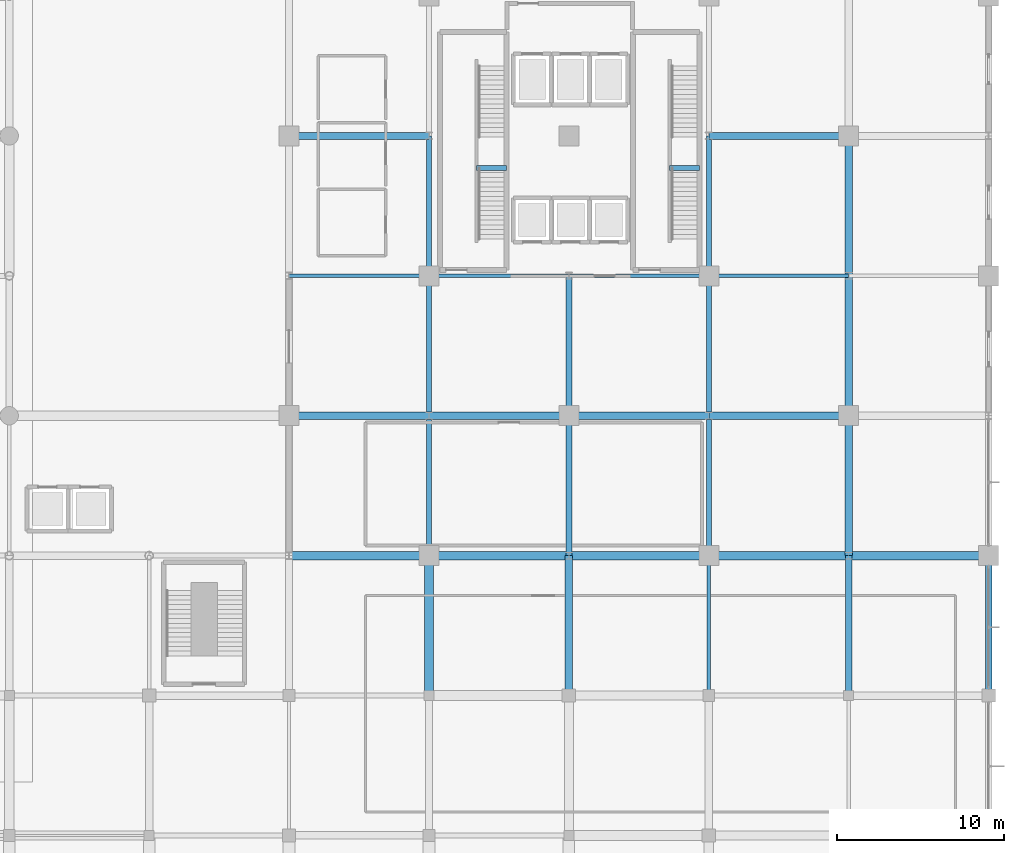
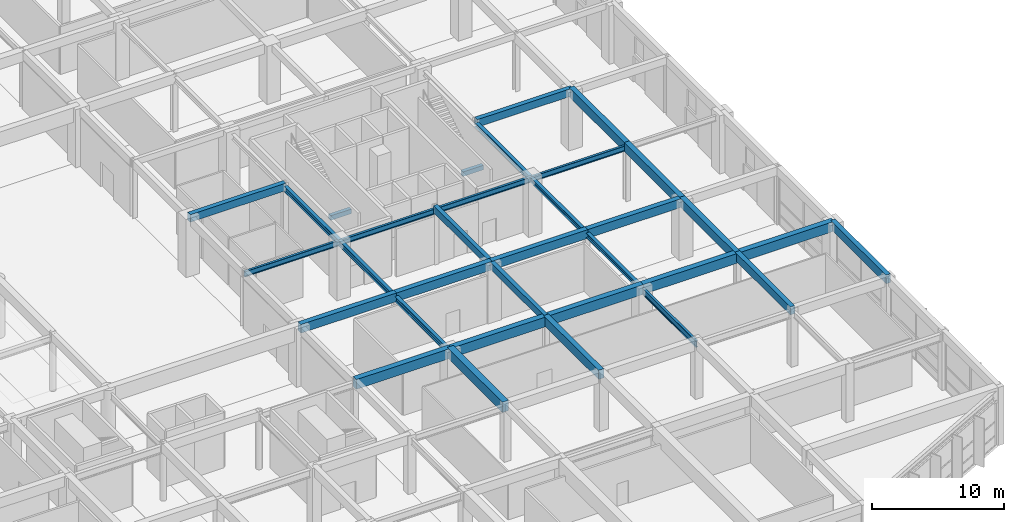
# One storey, part 30 of 62: 33 beams.
"""IFC4 building model written with IfcOpenShell, lengths in metres."""

from ifc_helpers import new_model, si_unit, direction, frame, origin, origin_2d, place, context, subcontext, project, spatial, rectangle, i_section, extrude, material, material_profile, profile_set, type_object, element, save


model = new_model("IFC4")

# Units and contexts
model_context = context("Model", 3, precision=1e-05, world=origin(), true_north=direction((0.0, 1.0)))
body_context = subcontext(model_context, "Body", "Model", "MODEL_VIEW")
ifc_project = project(units=[si_unit("LENGTHUNIT", "METRE"), si_unit("AREAUNIT", "SQUARE_METRE"), si_unit("VOLUMEUNIT", "CUBIC_METRE"), si_unit("PLANEANGLEUNIT", "RADIAN"), si_unit("MASSUNIT", "GRAM", prefix="KILO")], contexts=[model_context])

# Site, building, storey
site_placement = place(None, origin())
site = spatial("IfcSite", under=ifc_project, at=site_placement, CompositionType="ELEMENT")
building_placement = place(site_placement, origin())
building = spatial("IfcBuilding", under=site, at=building_placement, Name="Xuanlan Plaza Opera House", CompositionType="ELEMENT")
storey_placement = place(building_placement, origin())
storey = spatial("IfcBuildingStorey", under=building, at=storey_placement, Name="L00", CompositionType="ELEMENT", Elevation=0.0)

# Beams
ifc_material_1 = material(Name="Concrete C50", Category="concrete")
ifc_material_profile_1 = material_profile(ifc_material_1, rectangle(XDim=0.550048828125, YDim=0.949951171875, at=origin_2d()), Name="RC-BM 550x950")
ifc_profile_set_1 = profile_set([ifc_material_profile_1], Name="Concrete C50")
beam_type_1 = type_object("IfcBeamType", Name="STR-BM-B-02", PredefinedType="BEAM", material=ifc_profile_set_1)
beam_1_placement = place(storey_placement, frame((134.39990234375, 25.199951171875, 4.925048828125), z_axis=(0.0, 1.0, 0.0), x_axis=(-1.0, 0.0, 0.0)))
element("IfcBeam", 1, at=beam_1_placement, inside=storey, type_object=beam_type_1, Name="Grid Beam Y L00 17/D-E", PredefinedType="BEAM", context=body_context, shape_type="SweptSolid", body=[
    extrude(rectangle(XDim=0.550048828125, YDim=0.949951171875, at=origin_2d()), origin(), (0.0, 0.0, 1.0), 8.400146484375),
])
ifc_material_2 = material(Name="Concrete C40", Category="concrete")
ifc_material_profile_2 = material_profile(ifc_material_2, rectangle(XDim=0.5, YDim=0.89990234375, at=origin_2d()), Name="RC-BM 500x900")
ifc_profile_set_2 = profile_set([ifc_material_profile_2], Name="Concrete C40")
beam_type_2 = type_object("IfcBeamType", Name="STR-BM-B-03", PredefinedType="BEAM", material=ifc_profile_set_2)
beam_2_placement = place(storey_placement, frame((126.0, 33.60009765625, 4.949951171875), z_axis=(1.0, 0.0, 0.0), x_axis=(0.0, 1.0, 0.0)))
element("IfcBeam", 2, at=beam_2_placement, inside=storey, type_object=beam_type_2, Name="Grid Beam X L00 16-17/E", PredefinedType="BEAM", context=body_context, shape_type="SweptSolid", body=[
    extrude(rectangle(XDim=0.5, YDim=0.89990234375, at=origin_2d()), origin(), (0.0, 0.0, 1.0), 8.39990234375),
])
beam_3_placement = place(storey_placement, frame((134.39990234375, 33.60009765625, 4.949951171875), z_axis=(1.0, 0.0, 0.0), x_axis=(0.0, 1.0, 0.0)))
element("IfcBeam", 3, at=beam_3_placement, inside=storey, type_object=beam_type_2, Name="Grid Beam X L00 17-18/E", PredefinedType="BEAM", context=body_context, shape_type="SweptSolid", body=[
    extrude(rectangle(XDim=0.5, YDim=0.89990234375, at=origin_2d()), origin(), (0.0, 0.0, 1.0), 8.400146484375),
])
beam_4_placement = place(storey_placement, frame((142.800048828125, 33.60009765625, 4.949951171875), z_axis=(1.0, 0.0, 0.0), x_axis=(0.0, 1.0, 0.0)))
element("IfcBeam", 4, at=beam_4_placement, inside=storey, type_object=beam_type_2, Name="Grid Beam X L00 18-19/E", PredefinedType="BEAM", context=body_context, shape_type="SweptSolid", body=[
    extrude(rectangle(XDim=0.5, YDim=0.89990234375, at=origin_2d()), origin(), (0.0, 0.0, 1.0), 8.39990234375),
])
beam_5_placement = place(storey_placement, frame((151.199951171875, 33.60009765625, 4.949951171875), z_axis=(1.0, 0.0, 0.0), x_axis=(0.0, 1.0, 0.0)))
element("IfcBeam", 5, at=beam_5_placement, inside=storey, type_object=beam_type_2, Name="Grid Beam X L00 19-20/E", PredefinedType="BEAM", context=body_context, shape_type="SweptSolid", body=[
    extrude(rectangle(XDim=0.5, YDim=0.89990234375, at=origin_2d()), origin(), (0.0, 0.0, 1.0), 8.400146484375),
])
beam_6_placement = place(storey_placement, frame((159.60009765625, 33.60009765625, 4.949951171875), z_axis=(1.0, 0.0, 0.0), x_axis=(0.0, 1.0, 0.0)))
element("IfcBeam", 6, at=beam_6_placement, inside=storey, type_object=beam_type_2, Name="Grid Beam X L00 20-21/E", PredefinedType="BEAM", context=body_context, shape_type="SweptSolid", body=[
    extrude(rectangle(XDim=0.5, YDim=0.89990234375, at=origin_2d()), origin(), (0.0, 0.0, 1.0), 8.39990234375),
])
ifc_material_profile_3 = material_profile(ifc_material_2, rectangle(XDim=0.449951171875, YDim=0.85009765625, at=origin_2d()), Name="RC-BM 450x850")
ifc_profile_set_3 = profile_set([ifc_material_profile_3], Name="Concrete C40")
beam_type_3 = type_object("IfcBeamType", Name="STR-BM-B-04", PredefinedType="BEAM", material=ifc_profile_set_3)
beam_7_placement = place(storey_placement, frame((142.800048828125, 25.199951171875, 4.97509765625), z_axis=(0.0, 1.0, 0.0), x_axis=(-1.0, 0.0, 0.0)))
element("IfcBeam", 7, at=beam_7_placement, inside=storey, type_object=beam_type_3, Name="Grid Beam Y L00 18/D-E", PredefinedType="BEAM", context=body_context, shape_type="SweptSolid", body=[
    extrude(rectangle(XDim=0.449951171875, YDim=0.85009765625, at=origin_2d()), origin(), (0.0, 0.0, 1.0), 8.400146484375),
])
for number, where, z_axis, x_axis, name in (
    (8, (159.60009765625, 33.60009765625, 4.97509765625), (0.0, 1.0, 0.0), (-1.0, 0.0, 0.0), "Grid Beam Y L00 20/E-F"),
    (9, (159.60009765625, 42.0, 4.97509765625), (0.0, 1.0, 0.0), (-1.0, 0.0, 0.0), "Grid Beam Y L00 20/F-G"),
):
    element("IfcBeam", number, at=place(storey_placement, frame(where, z_axis=z_axis, x_axis=x_axis)), inside=storey, type_object=beam_type_3, Name=name, PredefinedType="BEAM", context=body_context, shape_type="SweptSolid", body=[
        extrude(rectangle(XDim=0.449951171875, YDim=0.85009765625, at=origin_2d()), origin(), (0.0, 0.0, 1.0), 8.39990234375),
    ])
beam_8_placement = place(storey_placement, frame((159.60009765625, 50.39990234375, 4.97509765625), z_axis=(0.0, 1.0, 0.0), x_axis=(-1.0, 0.0, 0.0)))
element("IfcBeam", 10, at=beam_8_placement, inside=storey, type_object=beam_type_3, Name="Grid Beam Y L00 20/G-H", PredefinedType="BEAM", context=body_context, shape_type="SweptSolid", body=[
    extrude(rectangle(XDim=0.449951171875, YDim=0.85009765625, at=origin_2d()), origin(), (0.0, 0.0, 1.0), 8.400146484375),
])
ifc_material_profile_4 = material_profile(ifc_material_2, rectangle(XDim=0.449951171875, YDim=0.800048828125, at=origin_2d()), Name="RC-BM 450x800")
ifc_profile_set_4 = profile_set([ifc_material_profile_4], Name="Concrete C40")
beam_type_4 = type_object("IfcBeamType", Name="STR-BM-B-05", PredefinedType="BEAM", material=ifc_profile_set_4)
beam_9_placement = place(storey_placement, frame((126.0, 42.0, 5.0), z_axis=(1.0, 0.0, 0.0), x_axis=(0.0, 1.0, 0.0)))
element("IfcBeam", 11, at=beam_9_placement, inside=storey, type_object=beam_type_4, Name="Grid Beam X L00 16-17/F", PredefinedType="BEAM", context=body_context, shape_type="SweptSolid", body=[
    extrude(rectangle(XDim=0.449951171875, YDim=0.800048828125, at=origin_2d()), origin(), (0.0, 0.0, 1.0), 8.39990234375),
])
beam_10_placement = place(storey_placement, frame((134.39990234375, 42.0, 5.0), z_axis=(1.0, 0.0, 0.0), x_axis=(0.0, 1.0, 0.0)))
element("IfcBeam", 12, at=beam_10_placement, inside=storey, type_object=beam_type_4, Name="Grid Beam X L00 17-18/F", PredefinedType="BEAM", context=body_context, shape_type="SweptSolid", body=[
    extrude(rectangle(XDim=0.449951171875, YDim=0.800048828125, at=origin_2d()), origin(), (0.0, 0.0, 1.0), 8.400146484375),
])
beam_11_placement = place(storey_placement, frame((142.800048828125, 42.0, 5.0), z_axis=(1.0, 0.0, 0.0), x_axis=(0.0, 1.0, 0.0)))
element("IfcBeam", 13, at=beam_11_placement, inside=storey, type_object=beam_type_4, Name="Grid Beam X L00 18-19/F", PredefinedType="BEAM", context=body_context, shape_type="SweptSolid", body=[
    extrude(rectangle(XDim=0.449951171875, YDim=0.800048828125, at=origin_2d()), origin(), (0.0, 0.0, 1.0), 8.39990234375),
])
beam_12_placement = place(storey_placement, frame((151.199951171875, 42.0, 5.0), z_axis=(1.0, 0.0, 0.0), x_axis=(0.0, 1.0, 0.0)))
element("IfcBeam", 14, at=beam_12_placement, inside=storey, type_object=beam_type_4, Name="Grid Beam X L00 19-20/F", PredefinedType="BEAM", context=body_context, shape_type="SweptSolid", body=[
    extrude(rectangle(XDim=0.449951171875, YDim=0.800048828125, at=origin_2d()), origin(), (0.0, 0.0, 1.0), 8.400146484375),
])
ifc_material_profile_5 = material_profile(ifc_material_2, rectangle(XDim=0.39990234375, YDim=0.75, at=origin_2d()), Name="RC-BM 400x750")
ifc_profile_set_5 = profile_set([ifc_material_profile_5], Name="Concrete C40")
beam_type_5 = type_object("IfcBeamType", Name="STR-BM-B-06", PredefinedType="BEAM", material=ifc_profile_set_5)
beam_13_placement = place(storey_placement, frame((159.60009765625, 25.199951171875, 5.02490234375), z_axis=(0.0, 1.0, 0.0), x_axis=(-1.0, 0.0, 0.0)))
element("IfcBeam", 15, at=beam_13_placement, inside=storey, type_object=beam_type_5, Name="Grid Beam Y L00 20/D-E", PredefinedType="BEAM", context=body_context, shape_type="SweptSolid", body=[
    extrude(rectangle(XDim=0.39990234375, YDim=0.75, at=origin_2d()), origin(), (0.0, 0.0, 1.0), 8.400146484375),
])
ifc_material_profile_6 = material_profile(ifc_material_2, rectangle(XDim=0.39990234375, YDim=0.699951171875, at=origin_2d()), Name="RC-BM 400x700")
ifc_profile_set_6 = profile_set([ifc_material_profile_6], Name="Concrete C40")
beam_type_6 = type_object("IfcBeamType", Name="STR-BM-B-07", PredefinedType="BEAM", material=ifc_profile_set_6)
beam_14_placement = place(storey_placement, frame((126.0, 58.800048828125, 5.050048828125), z_axis=(1.0, 0.0, 0.0), x_axis=(0.0, 1.0, 0.0)))
element("IfcBeam", 16, at=beam_14_placement, inside=storey, type_object=beam_type_6, Name="Grid Beam X L00 16-17/H", PredefinedType="BEAM", context=body_context, shape_type="SweptSolid", body=[
    extrude(rectangle(XDim=0.39990234375, YDim=0.699951171875, at=origin_2d()), origin(), (0.0, 0.0, 1.0), 8.39990234375),
])
beam_15_placement = place(storey_placement, frame((151.199951171875, 58.800048828125, 5.050048828125), z_axis=(1.0, 0.0, 0.0), x_axis=(0.0, 1.0, 0.0)))
element("IfcBeam", 17, at=beam_15_placement, inside=storey, type_object=beam_type_6, Name="Grid Beam X L00 19-20/H", PredefinedType="BEAM", context=body_context, shape_type="SweptSolid", body=[
    extrude(rectangle(XDim=0.39990234375, YDim=0.699951171875, at=origin_2d()), origin(), (0.0, 0.0, 1.0), 8.400146484375),
])
ifc_material_profile_7 = material_profile(ifc_material_2, rectangle(XDim=0.35009765625, YDim=0.64990234375, at=origin_2d()), Name="RC-BM 350x650")
ifc_profile_set_7 = profile_set([ifc_material_profile_7], Name="Concrete C40")
beam_type_7 = type_object("IfcBeamType", Name="STR-BM-B-08", PredefinedType="BEAM", material=ifc_profile_set_7)
for number, where, z_axis, x_axis, name in (
    (18, (142.800048828125, 33.60009765625, 5.074951171875), (0.0, 1.0, 0.0), (-1.0, 0.0, 0.0), "Grid Beam Y L00 18/E-F"),
    (19, (142.800048828125, 42.0, 5.074951171875), (0.0, 1.0, 0.0), (-1.0, 0.0, 0.0), "Grid Beam Y L00 18/F-G"),
):
    element("IfcBeam", number, at=place(storey_placement, frame(where, z_axis=z_axis, x_axis=x_axis)), inside=storey, type_object=beam_type_7, Name=name, PredefinedType="BEAM", context=body_context, shape_type="SweptSolid", body=[
        extrude(rectangle(XDim=0.35009765625, YDim=0.64990234375, at=origin_2d()), origin(), (0.0, 0.0, 1.0), 8.39990234375),
    ])
ifc_material_profile_8 = material_profile(ifc_material_2, rectangle(XDim=0.320068359375, YDim=0.419921875, at=origin_2d()), Name="RC-LNT 320x420")
ifc_profile_set_8 = profile_set([ifc_material_profile_8], Name="Concrete C40")
beam_type_8 = type_object("IfcBeamType", Name="STR-BM-LN-04", PredefinedType="LINTEL", material=ifc_profile_set_8)
beam_16_placement = place(storey_placement, frame((137.25, 56.875, 2.2900390625), z_axis=(1.0, 0.0, 0.0), x_axis=(0.0, 1.0, 0.0)))
element("IfcBeam", 20, at=beam_16_placement, inside=storey, type_object=beam_type_8, Name="Stair Mid-Landing Trimmer Beam ST-T1 L00", PredefinedType="LINTEL", context=body_context, shape_type="SweptSolid", body=[
    extrude(rectangle(XDim=0.320068359375, YDim=0.419921875, at=origin_2d()), origin(), (0.0, 0.0, 1.0), 1.800048828125),
])
beam_17_placement = place(storey_placement, frame((148.85009765625, 56.875, 2.2900390625), z_axis=(1.0, 0.0, 0.0), x_axis=(0.0, 1.0, 0.0)))
element("IfcBeam", 21, at=beam_17_placement, inside=storey, type_object=beam_type_8, Name="Stair Mid-Landing Trimmer Beam ST-T2 L00", PredefinedType="LINTEL", context=body_context, shape_type="SweptSolid", body=[
    extrude(rectangle(XDim=0.320068359375, YDim=0.419921875, at=origin_2d()), origin(), (0.0, 0.0, 1.0), 1.7998046875),
])
ifc_material_3 = material(Name="Steel Q355B", Category="steel")
ifc_material_profile_9 = material_profile(ifc_material_3, i_section(OverallWidth=0.199951171875, OverallDepth=0.60009765625, WebThickness=0.010986328125, FlangeThickness=0.01708984375, FilletRadius=0.02197265625, at=origin_2d()), Name="HN 600x200x11x17")
ifc_profile_set_9 = profile_set([ifc_material_profile_9], Name="Steel Q355B")
beam_type_9 = type_object("IfcBeamType", Name="STR-BM-SB-04", PredefinedType="BEAM", material=ifc_profile_set_9)
beam_18_placement = place(storey_placement, frame((151.199951171875, 25.199951171875, 4.8349609375), z_axis=(0.0, 1.0, 0.0), x_axis=(-1.0, 0.0, 0.0)))
element("IfcBeam", 22, at=beam_18_placement, inside=storey, type_object=beam_type_9, Name="Grid Beam Y L00 19/D-E", PredefinedType="BEAM", context=body_context, shape_type="SweptSolid", body=[
    extrude(i_section(OverallWidth=0.199951171875, OverallDepth=0.60009765625, WebThickness=0.010986328125, FlangeThickness=0.01708984375, FilletRadius=0.02197265625, at=origin_2d()), origin(), (0.0, 0.0, 1.0), 8.400146484375),
])
ifc_material_profile_10 = material_profile(ifc_material_3, i_section(OverallWidth=0.199951171875, OverallDepth=0.5, WebThickness=0.010009765625, FlangeThickness=0.01611328125, FilletRadius=0.02001953125, at=origin_2d()), Name="HN 500x200x10x16")
ifc_profile_set_10 = profile_set([ifc_material_profile_10], Name="Steel Q355B")
beam_type_10 = type_object("IfcBeamType", Name="STR-BM-SB-05", PredefinedType="BEAM", material=ifc_profile_set_10)
beam_19_placement = place(storey_placement, frame((126.0, 50.39990234375, 4.885009765625), z_axis=(1.0, 0.0, 0.0), x_axis=(0.0, 1.0, 0.0)))
element("IfcBeam", 23, at=beam_19_placement, inside=storey, type_object=beam_type_10, Name="Grid Beam X L00 16-17/G", PredefinedType="BEAM", context=body_context, shape_type="SweptSolid", body=[
    extrude(i_section(OverallWidth=0.199951171875, OverallDepth=0.5, WebThickness=0.010009765625, FlangeThickness=0.01611328125, FilletRadius=0.02001953125, at=origin_2d()), origin(), (0.0, 0.0, 1.0), 8.39990234375),
])
beam_20_placement = place(storey_placement, frame((134.39990234375, 50.39990234375, 4.885009765625), z_axis=(1.0, 0.0, 0.0), x_axis=(0.0, 1.0, 0.0)))
element("IfcBeam", 24, at=beam_20_placement, inside=storey, type_object=beam_type_10, Name="Grid Beam X L00 17-18/G", PredefinedType="BEAM", context=body_context, shape_type="SweptSolid", body=[
    extrude(i_section(OverallWidth=0.199951171875, OverallDepth=0.5, WebThickness=0.010009765625, FlangeThickness=0.01611328125, FilletRadius=0.02001953125, at=origin_2d()), origin(), (0.0, 0.0, 1.0), 8.400146484375),
])
beam_21_placement = place(storey_placement, frame((142.800048828125, 50.39990234375, 4.885009765625), z_axis=(1.0, 0.0, 0.0), x_axis=(0.0, 1.0, 0.0)))
element("IfcBeam", 25, at=beam_21_placement, inside=storey, type_object=beam_type_10, Name="Grid Beam X L00 18-19/G", PredefinedType="BEAM", context=body_context, shape_type="SweptSolid", body=[
    extrude(i_section(OverallWidth=0.199951171875, OverallDepth=0.5, WebThickness=0.010009765625, FlangeThickness=0.01611328125, FilletRadius=0.02001953125, at=origin_2d()), origin(), (0.0, 0.0, 1.0), 8.39990234375),
])
beam_22_placement = place(storey_placement, frame((151.199951171875, 50.39990234375, 4.885009765625), z_axis=(1.0, 0.0, 0.0), x_axis=(0.0, 1.0, 0.0)))
element("IfcBeam", 26, at=beam_22_placement, inside=storey, type_object=beam_type_10, Name="Grid Beam X L00 19-20/G", PredefinedType="BEAM", context=body_context, shape_type="SweptSolid", body=[
    extrude(i_section(OverallWidth=0.199951171875, OverallDepth=0.5, WebThickness=0.010009765625, FlangeThickness=0.01611328125, FilletRadius=0.02001953125, at=origin_2d()), origin(), (0.0, 0.0, 1.0), 8.400146484375),
])
ifc_material_profile_11 = material_profile(ifc_material_3, i_section(OverallWidth=0.300048828125, OverallDepth=0.488037109375, WebThickness=0.010986328125, FlangeThickness=0.01806640625, FilletRadius=0.02197265625, at=origin_2d()), Name="HM 488x300x11x18")
ifc_profile_set_11 = profile_set([ifc_material_profile_11], Name="Steel Q355B")
beam_type_11 = type_object("IfcBeamType", Name="STR-BM-SB-07", PredefinedType="BEAM", material=ifc_profile_set_11)
for number, where, z_axis, x_axis, name in (
    (27, (134.39990234375, 33.60009765625, 4.89111328125), (0.0, 1.0, 0.0), (-1.0, 0.0, 0.0), "Grid Beam Y L00 17/E-F"),
    (28, (134.39990234375, 42.0, 4.89111328125), (0.0, 1.0, 0.0), (-1.0, 0.0, 0.0), "Grid Beam Y L00 17/F-G"),
):
    element("IfcBeam", number, at=place(storey_placement, frame(where, z_axis=z_axis, x_axis=x_axis)), inside=storey, type_object=beam_type_11, Name=name, PredefinedType="BEAM", context=body_context, shape_type="SweptSolid", body=[
        extrude(i_section(OverallWidth=0.300048828125, OverallDepth=0.488037109375, WebThickness=0.010986328125, FlangeThickness=0.01806640625, FilletRadius=0.02197265625, at=origin_2d()), origin(), (0.0, 0.0, 1.0), 8.39990234375),
    ])
beam_23_placement = place(storey_placement, frame((134.39990234375, 50.39990234375, 4.89111328125), z_axis=(0.0, 1.0, 0.0), x_axis=(-1.0, 0.0, 0.0)))
element("IfcBeam", 29, at=beam_23_placement, inside=storey, type_object=beam_type_11, Name="Grid Beam Y L00 17/G-H", PredefinedType="BEAM", context=body_context, shape_type="SweptSolid", body=[
    extrude(i_section(OverallWidth=0.300048828125, OverallDepth=0.488037109375, WebThickness=0.010986328125, FlangeThickness=0.01806640625, FilletRadius=0.02197265625, at=origin_2d()), origin(), (0.0, 0.0, 1.0), 8.400146484375),
])
ifc_material_profile_12 = material_profile(ifc_material_3, i_section(OverallWidth=0.300048828125, OverallDepth=0.43994140625, WebThickness=0.010986328125, FlangeThickness=0.01806640625, FilletRadius=0.02001953125, at=origin_2d()), Name="HM 440x300x11x18")
ifc_profile_set_12 = profile_set([ifc_material_profile_12], Name="Steel Q355B")
beam_type_12 = type_object("IfcBeamType", Name="STR-BM-SB-08", PredefinedType="BEAM", material=ifc_profile_set_12)
for number, where, z_axis, x_axis, name in (
    (30, (151.199951171875, 33.60009765625, 4.9150390625), (0.0, 1.0, 0.0), (-1.0, 0.0, 0.0), "Grid Beam Y L00 19/E-F"),
    (31, (151.199951171875, 42.0, 4.9150390625), (0.0, 1.0, 0.0), (-1.0, 0.0, 0.0), "Grid Beam Y L00 19/F-G"),
):
    element("IfcBeam", number, at=place(storey_placement, frame(where, z_axis=z_axis, x_axis=x_axis)), inside=storey, type_object=beam_type_12, Name=name, PredefinedType="BEAM", context=body_context, shape_type="SweptSolid", body=[
        extrude(i_section(OverallWidth=0.300048828125, OverallDepth=0.43994140625, WebThickness=0.010986328125, FlangeThickness=0.01806640625, FilletRadius=0.02001953125, at=origin_2d()), origin(), (0.0, 0.0, 1.0), 8.39990234375),
    ])
beam_24_placement = place(storey_placement, frame((151.199951171875, 50.39990234375, 4.9150390625), z_axis=(0.0, 1.0, 0.0), x_axis=(-1.0, 0.0, 0.0)))
element("IfcBeam", 32, at=beam_24_placement, inside=storey, type_object=beam_type_12, Name="Grid Beam Y L00 19/G-H", PredefinedType="BEAM", context=body_context, shape_type="SweptSolid", body=[
    extrude(i_section(OverallWidth=0.300048828125, OverallDepth=0.43994140625, WebThickness=0.010986328125, FlangeThickness=0.01806640625, FilletRadius=0.02001953125, at=origin_2d()), origin(), (0.0, 0.0, 1.0), 8.400146484375),
])
ifc_material_profile_13 = material_profile(ifc_material_2, rectangle(XDim=0.39990234375, YDim=0.800048828125, at=origin_2d()), Name="RC-SPD 400x800")
ifc_profile_set_13 = profile_set([ifc_material_profile_13], Name="Concrete C40")
beam_type_13 = type_object("IfcBeamType", Name="STR-BM-SP-01", PredefinedType="SPANDREL", material=ifc_profile_set_13)
beam_25_placement = place(storey_placement, frame((168.0, 25.199951171875, 5.0), z_axis=(0.0, 1.0, 0.0), x_axis=(-1.0, 0.0, 0.0)))
element("IfcBeam", 33, at=beam_25_placement, inside=storey, type_object=beam_type_13, Name="Grid Beam Y L00 21/D-E", PredefinedType="SPANDREL", context=body_context, shape_type="SweptSolid", body=[
    extrude(rectangle(XDim=0.39990234375, YDim=0.800048828125, at=origin_2d()), origin(), (0.0, 0.0, 1.0), 8.400146484375),
])

save(model, "model.ifc")
